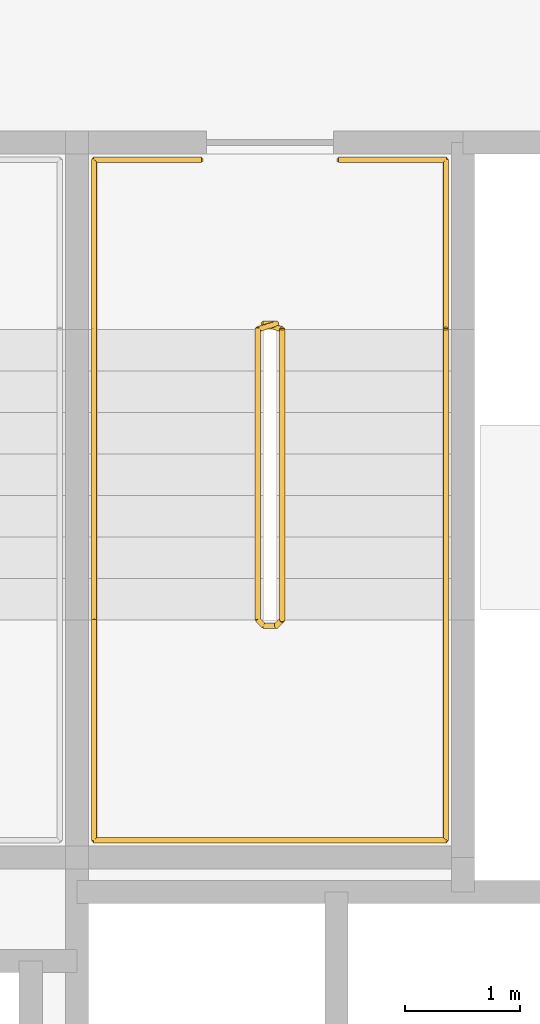
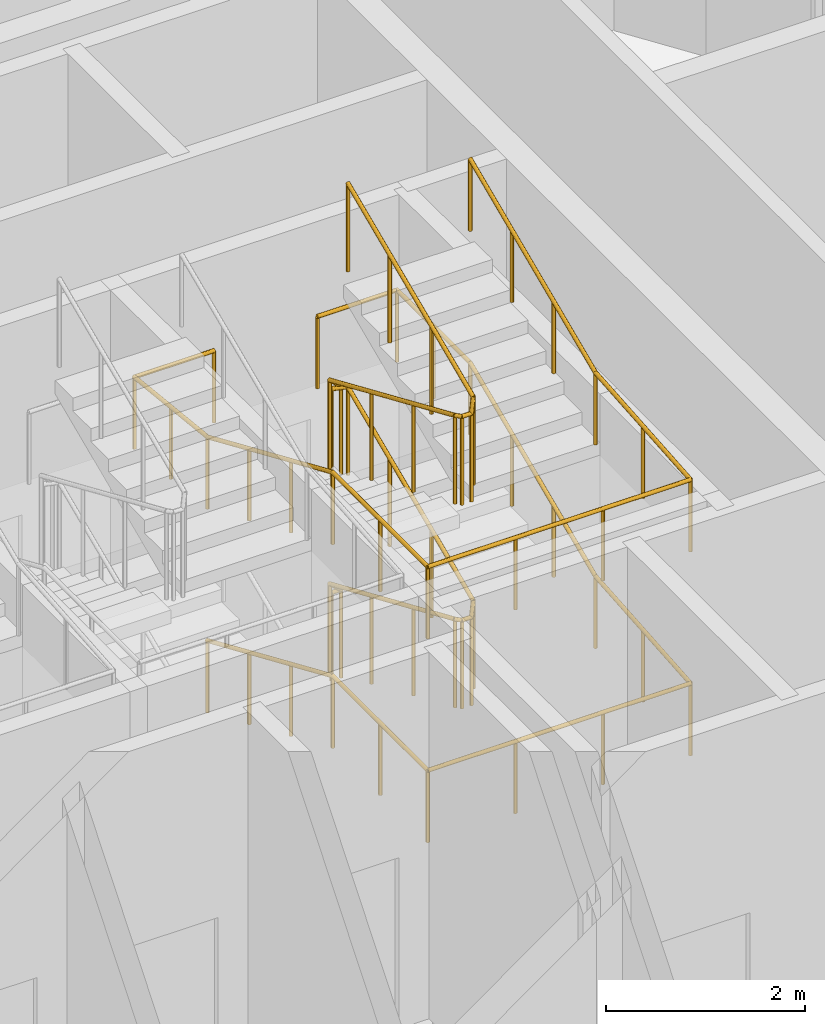
# One storey, part 11 of 11: 3 railings.
"""IFC4 building model written with IfcOpenShell, lengths in metres."""

from ifc_helpers import new_model, si_unit, direction, frame, origin, origin_2d, place, context, subcontext, project, spatial, circle, extrude, material, type_object, element, save


model = new_model("IFC4")

# Units and contexts
model_context = context("Model", 3, precision=1e-05, world=origin(), true_north=direction((0.0, 1.0)))
body_context = subcontext(model_context, "Body", "Model", "MODEL_VIEW")
ifc_project = project(units=[si_unit("LENGTHUNIT", "METRE"), si_unit("AREAUNIT", "SQUARE_METRE"), si_unit("VOLUMEUNIT", "CUBIC_METRE"), si_unit("PLANEANGLEUNIT", "RADIAN"), si_unit("MASSUNIT", "GRAM", prefix="KILO")], contexts=[model_context])

# Site, building, storey
site_placement = place(None, origin())
site = spatial("IfcSite", under=ifc_project, at=site_placement, CompositionType="ELEMENT")
building_placement = place(site_placement, origin())
building = spatial("IfcBuilding", under=site, at=building_placement, Name="Tessera Arch", CompositionType="ELEMENT")
storey_placement = place(building_placement, frame((0.0, 0.0, 290.199951171875)))
storey = spatial("IfcBuildingStorey", under=building, at=storey_placement, Name="L70", CompositionType="ELEMENT", Elevation=290.199951171875)

# Railings
ifc_material_1 = material(Name="Painted steel balustrade", Category="steel")
railing_type_1 = type_object("IfcRailingType", Name="Stair guard 1100", PredefinedType="GUARDRAIL", material=ifc_material_1)
railing_1_placement = place(storey_placement, frame((44.919921875, 43.6298828125, 0.0)))
element("IfcRailing", 1, at=railing_1_placement, inside=storey, type_object=railing_type_1, Name="L70 S1c stair guard 1", PredefinedType="GUARDRAIL", context=body_context, shape_type="SweptSolid", body=[
    extrude(circle(Radius=0.02392578125, at=origin_2d()), frame((-0.00390625, 0.0, 1.076171875), z_axis=(1.0, 0.0, 0.0), x_axis=(0.0, 1.0, 0.0)), (0.0, 0.0, 1.0), 0.1181640625),
    extrude(circle(Radius=0.02392578125, at=origin_2d()), frame((0.11279296875, 0.0009765625, 1.0732421875), z_axis=(-0.698136755474, -0.217434958957, 0.682148890844), x_axis=(0.297361876254, -0.954764847777, 0.0)), (0.0, 0.0, 1.0), 0.237060546875),
    extrude(circle(Radius=0.02392578125, at=origin_2d()), frame((-0.0498046875, -0.046142578125, 1.230712890625), z_axis=(0.0, -0.917324189904, 0.398141093855), x_axis=(1.0, 0.0, 0.0)), (0.0, 0.0, 1.0), 2.755126953125),
    extrude(circle(Radius=0.02392578125, at=origin_2d()), frame((-0.052734375, -2.56689453125, 2.326171875), z_axis=(0.705375805398, -0.708833529934, 0.0), x_axis=(0.708833529934, 0.705375805398, 0.0)), (0.0, 0.0, 1.0), 0.07861328125),
    extrude(circle(Radius=0.02392578125, at=origin_2d()), frame((-0.00390625, -2.619873046875, 2.326171875), z_axis=(1.0, 0.0, 0.0), x_axis=(0.0, 1.0, 0.0)), (0.0, 0.0, 1.0), 0.1181640625),
    extrude(circle(Radius=0.02392578125, at=origin_2d()), frame((0.10888671875, -2.62109375, 2.322509765625), z_axis=(0.29177245553, 0.29177245553, 0.91089937336), x_axis=(-0.707106781187, 0.707106781187, 0.0)), (0.0, 0.0, 1.0), 0.179443359375),
    extrude(circle(Radius=0.02392578125, at=origin_2d()), frame((0.16015625, -2.573486328125, 2.480712890625), z_axis=(0.0, 0.917324189904, 0.398141093855), x_axis=(-1.0, 0.0, 0.0)), (0.0, 0.0, 1.0), 2.755126953125),
    extrude(circle(Radius=0.02392578125, at=origin_2d()), frame((0.1640625, -0.051025390625, 3.576171875), z_axis=(-0.954893471113, 0.296948579431, 0.0), x_axis=(-0.296948579431, -0.954893471113, 0.0)), (0.0, 0.0, 1.0), 0.17578125),
    extrude(circle(Radius=0.02392578125, at=origin_2d()), frame((-0.00390625, 0.0, 3.576171875), z_axis=(1.0, 0.0, 0.0), x_axis=(0.0, 1.0, 0.0)), (0.0, 0.0, 1.0), 0.1181640625),
    extrude(circle(Radius=0.02392578125, at=origin_2d()), frame((0.11279296875, 0.0009765625, 3.5732421875), z_axis=(-0.698136755474, -0.217434958957, 0.682148890844), x_axis=(0.297361876254, -0.954764847777, 0.0)), (0.0, 0.0, 1.0), 0.237060546875),
    extrude(circle(Radius=0.02392578125, at=origin_2d()), frame((-0.0498046875, -0.046142578125, 3.730712890625), z_axis=(0.0, -0.917324189904, 0.398141093855), x_axis=(1.0, 0.0, 0.0)), (0.0, 0.0, 1.0), 2.755126953125),
    extrude(circle(Radius=0.02392578125, at=origin_2d()), frame((-0.052734375, -2.56689453125, 4.826171875), z_axis=(0.705375805398, -0.708833529934, 0.0), x_axis=(0.708833529934, 0.705375805398, 0.0)), (0.0, 0.0, 1.0), 0.07861328125),
    extrude(circle(Radius=0.02392578125, at=origin_2d()), frame((-0.00390625, -2.619873046875, 4.826171875), z_axis=(1.0, 0.0, 0.0), x_axis=(0.0, 1.0, 0.0)), (0.0, 0.0, 1.0), 0.1181640625),
    extrude(circle(Radius=0.02392578125, at=origin_2d()), frame((0.10888671875, -2.62109375, 4.822509765625), z_axis=(0.29177245553, 0.29177245553, 0.91089937336), x_axis=(-0.707106781187, 0.707106781187, 0.0)), (0.0, 0.0, 1.0), 0.179443359375),
    extrude(circle(Radius=0.02392578125, at=origin_2d()), frame((0.16015625, -2.573486328125, 4.980712890625), z_axis=(0.0, 0.917324189904, 0.398141093855), x_axis=(-1.0, 0.0, 0.0)), (0.0, 0.0, 1.0), 2.755126953125),
    extrude(circle(Radius=0.02099609375, at=origin_2d()), origin(), (0.0, 0.0, 1.0), 1.06396484375),
    extrude(circle(Radius=0.02099609375, at=origin_2d()), frame((0.110107421875, 0.0, 0.0)), (0.0, 0.0, 1.0), 1.06396484375),
    extrude(circle(Radius=0.02099609375, at=origin_2d()), frame((-0.0498046875, -0.0498046875, 0.15625)), (0.0, 0.0, 1.0), 1.06396484375),
    extrude(circle(Radius=0.02099609375, at=origin_2d()), frame((-0.0498046875, -0.889892578125, 0.520751953125)), (0.0, 0.0, 1.0), 1.06396484375),
    extrude(circle(Radius=0.02099609375, at=origin_2d()), frame((-0.0498046875, -1.729736328125, 0.885498046875)), (0.0, 0.0, 1.0), 1.06396484375),
    extrude(circle(Radius=0.02099609375, at=origin_2d()), frame((-0.0498046875, -2.56982421875, 1.25)), (0.0, 0.0, 1.0), 1.06396484375),
    extrude(circle(Radius=0.02099609375, at=origin_2d()), frame((0.0, -2.619873046875, 1.25)), (0.0, 0.0, 1.0), 1.06396484375),
    extrude(circle(Radius=0.02099609375, at=origin_2d()), frame((0.110107421875, -2.619873046875, 1.25)), (0.0, 0.0, 1.0), 1.06396484375),
    extrude(circle(Radius=0.02099609375, at=origin_2d()), frame((0.16015625, -2.56982421875, 1.40625)), (0.0, 0.0, 1.0), 1.06396484375),
    extrude(circle(Radius=0.02099609375, at=origin_2d()), frame((0.16015625, -1.729736328125, 1.770751953125)), (0.0, 0.0, 1.0), 1.06396484375),
    extrude(circle(Radius=0.02099609375, at=origin_2d()), frame((0.16015625, -0.889892578125, 2.135498046875)), (0.0, 0.0, 1.0), 1.06396484375),
    extrude(circle(Radius=0.02099609375, at=origin_2d()), frame((0.16015625, -0.0498046875, 2.5)), (0.0, 0.0, 1.0), 1.06396484375),
    extrude(circle(Radius=0.02099609375, at=origin_2d()), frame((0.0, 0.0, 2.5)), (0.0, 0.0, 1.0), 1.06396484375),
    extrude(circle(Radius=0.02099609375, at=origin_2d()), frame((0.110107421875, 0.0, 2.5)), (0.0, 0.0, 1.0), 1.06396484375),
    extrude(circle(Radius=0.02099609375, at=origin_2d()), frame((-0.0498046875, -0.0498046875, 2.65625)), (0.0, 0.0, 1.0), 1.06396484375),
    extrude(circle(Radius=0.02099609375, at=origin_2d()), frame((-0.0498046875, -0.889892578125, 3.020751953125)), (0.0, 0.0, 1.0), 1.06396484375),
    extrude(circle(Radius=0.02099609375, at=origin_2d()), frame((-0.0498046875, -1.729736328125, 3.385498046875)), (0.0, 0.0, 1.0), 1.06396484375),
    extrude(circle(Radius=0.02099609375, at=origin_2d()), frame((-0.0498046875, -2.56982421875, 3.75)), (0.0, 0.0, 1.0), 1.06396484375),
    extrude(circle(Radius=0.02099609375, at=origin_2d()), frame((0.0, -2.619873046875, 3.75)), (0.0, 0.0, 1.0), 1.06396484375),
    extrude(circle(Radius=0.02099609375, at=origin_2d()), frame((0.110107421875, -2.619873046875, 3.75)), (0.0, 0.0, 1.0), 1.06396484375),
    extrude(circle(Radius=0.02099609375, at=origin_2d()), frame((0.16015625, -2.56982421875, 3.90625)), (0.0, 0.0, 1.0), 1.06396484375),
    extrude(circle(Radius=0.02099609375, at=origin_2d()), frame((0.16015625, -1.729736328125, 4.270751953125)), (0.0, 0.0, 1.0), 1.06396484375),
    extrude(circle(Radius=0.02099609375, at=origin_2d()), frame((0.16015625, -0.889892578125, 4.635498046875)), (0.0, 0.0, 1.0), 1.06396484375),
    extrude(circle(Radius=0.02099609375, at=origin_2d()), frame((0.16015625, -0.0498046875, 5.0)), (0.0, 0.0, 1.0), 1.06396484375),
])
ifc_material_2 = material(Name="Painted steel handrail", Category="steel")
railing_type_2 = type_object("IfcRailingType", Name="Stair handrail 900", PredefinedType="HANDRAIL", material=ifc_material_2)
railing_2_placement = place(storey_placement, frame((43.449951171875, 43.580078125, 0.15625)))
element("IfcRailing", 2, at=railing_2_placement, inside=storey, type_object=railing_type_2, Name="L70 S1c stair handrail", PredefinedType="HANDRAIL", context=body_context, shape_type="SweptSolid", body=[
    extrude(circle(Radius=0.02392578125, at=origin_2d()), frame((0.0, 0.003662109375, 0.874267578125), z_axis=(0.0, -0.917324189904, 0.398141093855), x_axis=(1.0, 0.0, 0.0)), (0.0, 0.0, 1.0), 2.755126953125),
    extrude(circle(Radius=0.02392578125, at=origin_2d()), frame((0.0, -2.51611328125, 1.9697265625), z_axis=(0.0, -1.0, 0.0), x_axis=(1.0, 0.0, 0.0)), (0.0, 0.0, 1.0), 1.918212890625),
    extrude(circle(Radius=0.02392578125, at=origin_2d()), frame((-0.00390625, -4.43017578125, 1.9697265625), z_axis=(1.0, 0.0, 0.0), x_axis=(0.0, 1.0, 0.0)), (0.0, 0.0, 1.0), 3.05810546875),
    extrude(circle(Radius=0.02392578125, at=origin_2d()), frame((3.050048828125, -4.43408203125, 1.96923828125), z_axis=(0.0, 0.996671109807, 0.081527289146), x_axis=(-1.0, 0.0, 0.0)), (0.0, 0.0, 1.0), 1.924560546875),
    extrude(circle(Radius=0.02392578125, at=origin_2d()), frame((3.050048828125, -2.523681640625, 2.124267578125), z_axis=(0.0, 0.917324189904, 0.398141093855), x_axis=(-1.0, 0.0, 0.0)), (0.0, 0.0, 1.0), 2.755126953125),
    extrude(circle(Radius=0.02392578125, at=origin_2d()), frame((3.050048828125, -0.00390625, 3.2197265625), z_axis=(0.0, 1.0, 0.0), x_axis=(-1.0, 0.0, 0.0)), (0.0, 0.0, 1.0), 1.47802734375),
    extrude(circle(Radius=0.02392578125, at=origin_2d()), frame((3.053955078125, 1.469970703125, 3.2197265625), z_axis=(-1.0, 0.0, 0.0), x_axis=(0.0, -1.0, 0.0)), (0.0, 0.0, 1.0), 0.93310546875),
    extrude(circle(Radius=0.02099609375, at=origin_2d()), origin(), (0.0, 0.0, 1.0), 0.86376953125),
    extrude(circle(Radius=0.02099609375, at=origin_2d()), frame((0.0, -0.840087890625, 0.364501953125)), (0.0, 0.0, 1.0), 0.86376953125),
    extrude(circle(Radius=0.02099609375, at=origin_2d()), frame((0.0, -1.679931640625, 0.729248046875)), (0.0, 0.0, 1.0), 0.86376953125),
    extrude(circle(Radius=0.02099609375, at=origin_2d()), frame((0.0, -2.52001953125, 1.09375)), (0.0, 0.0, 1.0), 0.86376953125),
    extrude(circle(Radius=0.02099609375, at=origin_2d()), frame((0.0, -3.47509765625, 1.09375)), (0.0, 0.0, 1.0), 0.86376953125),
    extrude(circle(Radius=0.02099609375, at=origin_2d()), frame((0.0, -4.43017578125, 1.09375)), (0.0, 0.0, 1.0), 0.86376953125),
    extrude(circle(Radius=0.02099609375, at=origin_2d()), frame((1.0166015625, -4.43017578125, 1.09375)), (0.0, 0.0, 1.0), 0.86376953125),
    extrude(circle(Radius=0.02099609375, at=origin_2d()), frame((2.033447265625, -4.43017578125, 1.09375)), (0.0, 0.0, 1.0), 0.86376953125),
    extrude(circle(Radius=0.02099609375, at=origin_2d()), frame((3.050048828125, -4.43017578125, 1.09375)), (0.0, 0.0, 1.0), 0.86376953125),
    extrude(circle(Radius=0.02099609375, at=origin_2d()), frame((3.050048828125, -3.47509765625, 1.171875)), (0.0, 0.0, 1.0), 0.86376953125),
    extrude(circle(Radius=0.02099609375, at=origin_2d()), frame((3.050048828125, -2.52001953125, 1.25)), (0.0, 0.0, 1.0), 0.86376953125),
    extrude(circle(Radius=0.02099609375, at=origin_2d()), frame((3.050048828125, -1.679931640625, 1.614501953125)), (0.0, 0.0, 1.0), 0.86376953125),
    extrude(circle(Radius=0.02099609375, at=origin_2d()), frame((3.050048828125, -0.840087890625, 1.979248046875)), (0.0, 0.0, 1.0), 0.86376953125),
    extrude(circle(Radius=0.02099609375, at=origin_2d()), frame((3.050048828125, 0.0, 2.34375)), (0.0, 0.0, 1.0), 0.86376953125),
    extrude(circle(Radius=0.02099609375, at=origin_2d()), frame((3.050048828125, 0.73486328125, 2.34375)), (0.0, 0.0, 1.0), 0.86376953125),
    extrude(circle(Radius=0.02099609375, at=origin_2d()), frame((3.050048828125, 1.469970703125, 2.34375)), (0.0, 0.0, 1.0), 0.86376953125),
    extrude(circle(Radius=0.02099609375, at=origin_2d()), frame((2.125, 1.469970703125, 2.34375)), (0.0, 0.0, 1.0), 0.86376953125),
])
railing_3_placement = place(storey_placement, frame((44.375, 45.050048828125, 2.5)))
element("IfcRailing", 3, at=railing_3_placement, inside=storey, type_object=railing_type_2, Name="L70 S1c stair handrail 2", PredefinedType="HANDRAIL", context=body_context, shape_type="SweptSolid", body=[
    extrude(circle(Radius=0.02392578125, at=origin_2d()), frame((0.00390625, 0.0, 0.8759765625), z_axis=(-1.0, 0.0, 0.0), x_axis=(0.0, -1.0, 0.0)), (0.0, 0.0, 1.0), 0.93310546875),
    extrude(circle(Radius=0.02392578125, at=origin_2d()), frame((-0.925048828125, 0.00390625, 0.87548828125), z_axis=(0.0, -0.994398150376, 0.105699188879), x_axis=(1.0, 0.0, 0.0)), (0.0, 0.0, 1.0), 1.486328125),
    extrude(circle(Radius=0.02392578125, at=origin_2d()), frame((-0.925048828125, -1.46630859375, 1.030517578125), z_axis=(0.0, -0.917324189904, 0.398141093855), x_axis=(1.0, 0.0, 0.0)), (0.0, 0.0, 1.0), 2.755126953125),
    extrude(circle(Radius=0.02392578125, at=origin_2d()), frame((-0.925048828125, -3.986083984375, 2.1259765625), z_axis=(0.0, -1.0, 0.0), x_axis=(1.0, 0.0, 0.0)), (0.0, 0.0, 1.0), 1.918212890625),
    extrude(circle(Radius=0.02392578125, at=origin_2d()), frame((-0.928955078125, -5.900146484375, 2.1259765625), z_axis=(1.0, 0.0, 0.0), x_axis=(0.0, 1.0, 0.0)), (0.0, 0.0, 1.0), 3.05810546875),
    extrude(circle(Radius=0.02392578125, at=origin_2d()), frame((2.125, -5.904052734375, 2.12548828125), z_axis=(0.0, 0.996671109807, 0.081527289146), x_axis=(-1.0, 0.0, 0.0)), (0.0, 0.0, 1.0), 1.924560546875),
    extrude(circle(Radius=0.02392578125, at=origin_2d()), frame((2.125, -3.99365234375, 2.280517578125), z_axis=(0.0, 0.917324189904, 0.398141093855), x_axis=(-1.0, 0.0, 0.0)), (0.0, 0.0, 1.0), 2.755126953125),
    extrude(circle(Radius=0.02099609375, at=origin_2d()), origin(), (0.0, 0.0, 1.0), 0.86376953125),
    extrude(circle(Radius=0.02099609375, at=origin_2d()), frame((-0.925048828125, 0.0, 0.0)), (0.0, 0.0, 1.0), 0.86376953125),
    extrude(circle(Radius=0.02099609375, at=origin_2d()), frame((-0.925048828125, -0.73486328125, 0.078125)), (0.0, 0.0, 1.0), 0.86376953125),
    extrude(circle(Radius=0.02099609375, at=origin_2d()), frame((-0.925048828125, -1.469970703125, 0.15625)), (0.0, 0.0, 1.0), 0.86376953125),
    extrude(circle(Radius=0.02099609375, at=origin_2d()), frame((-0.925048828125, -2.31005859375, 0.520751953125)), (0.0, 0.0, 1.0), 0.86376953125),
    extrude(circle(Radius=0.02099609375, at=origin_2d()), frame((-0.925048828125, -3.14990234375, 0.885498046875)), (0.0, 0.0, 1.0), 0.86376953125),
    extrude(circle(Radius=0.02099609375, at=origin_2d()), frame((-0.925048828125, -3.989990234375, 1.25)), (0.0, 0.0, 1.0), 0.86376953125),
    extrude(circle(Radius=0.02099609375, at=origin_2d()), frame((-0.925048828125, -4.945068359375, 1.25)), (0.0, 0.0, 1.0), 0.86376953125),
    extrude(circle(Radius=0.02099609375, at=origin_2d()), frame((-0.925048828125, -5.900146484375, 1.25)), (0.0, 0.0, 1.0), 0.86376953125),
    extrude(circle(Radius=0.02099609375, at=origin_2d()), frame((0.091552734375, -5.900146484375, 1.25)), (0.0, 0.0, 1.0), 0.86376953125),
    extrude(circle(Radius=0.02099609375, at=origin_2d()), frame((1.1083984375, -5.900146484375, 1.25)), (0.0, 0.0, 1.0), 0.86376953125),
    extrude(circle(Radius=0.02099609375, at=origin_2d()), frame((2.125, -5.900146484375, 1.25)), (0.0, 0.0, 1.0), 0.86376953125),
    extrude(circle(Radius=0.02099609375, at=origin_2d()), frame((2.125, -4.945068359375, 1.328125)), (0.0, 0.0, 1.0), 0.86376953125),
    extrude(circle(Radius=0.02099609375, at=origin_2d()), frame((2.125, -3.989990234375, 1.40625)), (0.0, 0.0, 1.0), 0.86376953125),
    extrude(circle(Radius=0.02099609375, at=origin_2d()), frame((2.125, -3.14990234375, 1.770751953125)), (0.0, 0.0, 1.0), 0.86376953125),
    extrude(circle(Radius=0.02099609375, at=origin_2d()), frame((2.125, -2.31005859375, 2.135498046875)), (0.0, 0.0, 1.0), 0.86376953125),
    extrude(circle(Radius=0.02099609375, at=origin_2d()), frame((2.125, -1.469970703125, 2.5)), (0.0, 0.0, 1.0), 0.86376953125),
])

save(model, "model.ifc")
